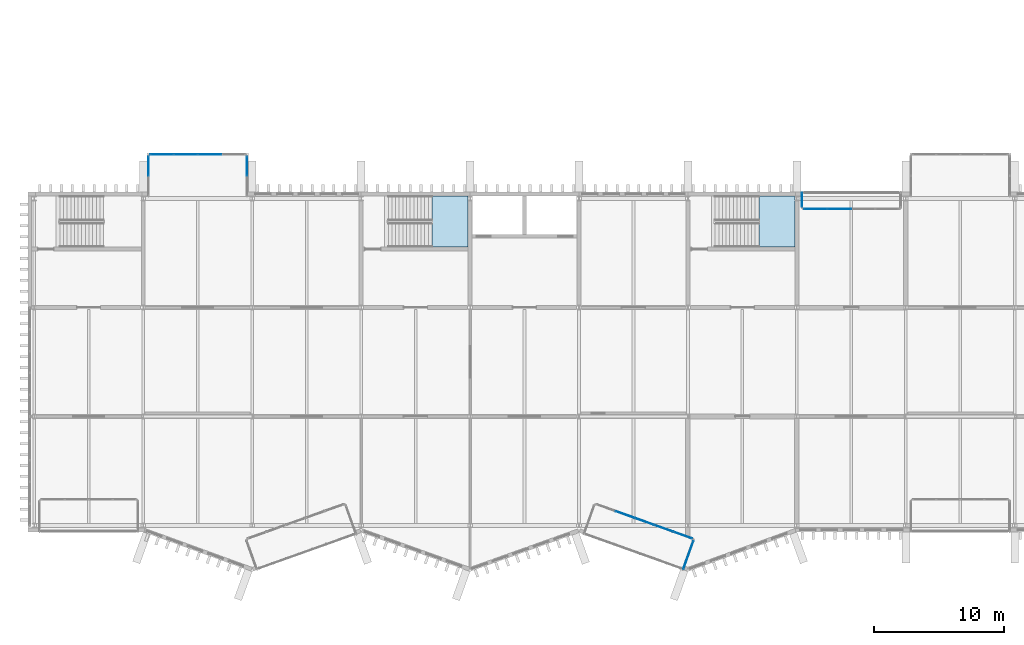
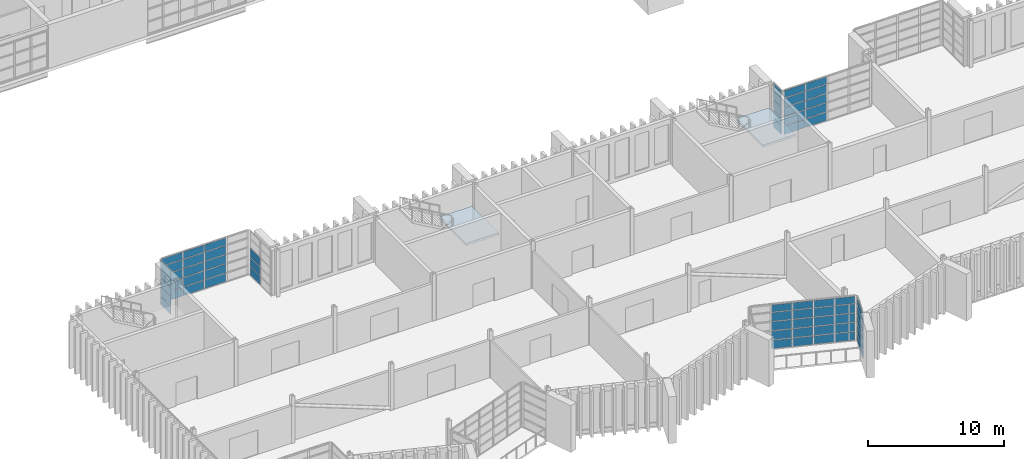
# One storey, part 46 of 100: 63 plates, 2 slabs, 9 elements without a shape of their own.
"""IFC4 building model written with IfcOpenShell, lengths in metres."""

from ifc_helpers import new_model, si_unit, direction, frame, origin, origin_2d, place, context, subcontext, project, spatial, polyline, rectangle, outline, extrude, material, layer, layer_set, type_object, element, aggregate, save


model = new_model("IFC4")

# Units and contexts
model_context = context("Model", 3, precision=1e-05, world=origin(), true_north=direction((0.0, 1.0)))
body_context = subcontext(model_context, "Body", "Model", "MODEL_VIEW")
ifc_project = project(units=[si_unit("LENGTHUNIT", "METRE"), si_unit("AREAUNIT", "SQUARE_METRE"), si_unit("VOLUMEUNIT", "CUBIC_METRE"), si_unit("PLANEANGLEUNIT", "RADIAN"), si_unit("MASSUNIT", "GRAM", prefix="KILO")], contexts=[model_context])

# Site, building, storey
site_placement = place(None, origin())
site = spatial("IfcSite", under=ifc_project, at=site_placement, CompositionType="ELEMENT")
building_placement = place(site_placement, origin())
building = spatial("IfcBuilding", under=site, at=building_placement, Name="Cresset Court Congress Hotel", CompositionType="ELEMENT")
storey_placement = place(building_placement, frame((0.0, 0.0, 10.199951171875)))
storey = spatial("IfcBuildingStorey", under=building, at=storey_placement, Name="L02", CompositionType="ELEMENT", Elevation=10.199951171875)

# Curtain wall, plates
ifc_material_1 = material(Name="Aluminium frame with double glazing", Category="aluminium")
ifc_layer_1 = layer(ifc_material_1, 0.199951171875)
ifc_layer_set_1 = layer_set([ifc_layer_1], Name="Glazed box curtain wall 1680 module")
curtain_wall_type = type_object("IfcCurtainWallType", Name="Glazed box curtain wall 1680 module", PredefinedType="NOTDEFINED", material=ifc_layer_set_1)
curtain_wall_1_placement = place(storey_placement, origin())
curtain_wall_1 = element("IfcCurtainWall", 1, at=curtain_wall_1_placement, inside=storey, type_object=curtain_wall_type, Name="Glazed box S0207 front", PredefinedType="NOTDEFINED")
ifc_material_2 = material(Name="Toughened double glazing", Category="glass")
ifc_layer_2 = layer(ifc_material_2, 0.028076171875)
ifc_layer_set_2 = layer_set([ifc_layer_2], Name="Box glass panel 28")
plate_type_1 = type_object("IfcPlateType", Name="Box glass panel 28", PredefinedType="CURTAIN_PANEL", material=ifc_layer_set_2)
plate_1_placement = place(storey_placement, frame((53.94921875, 0.837158203125, 0.06005859375), z_axis=(0.0, 0.0, 1.0), x_axis=(0.941741911601, -0.336336396981, 0.0)))
plate_1 = element("IfcPlate", 2, at=plate_1_placement, type_object=plate_type_1, Name="B-X1 panel 2.1", PredefinedType="CURTAIN_PANEL", context=body_context, shape_type="SweptSolid", body=[
    extrude(rectangle(XDim=1.52392578125, YDim=0.028076171875, at=origin_2d()), origin(), (0.0, 0.0, 1.0), 0.739990234375),
])
plate_2_placement = place(storey_placement, frame((53.94921875, 0.837158203125, 0.860107421875), z_axis=(0.0, 0.0, 1.0), x_axis=(0.941741911601, -0.336336396981, 0.0)))
plate_2 = element("IfcPlate", 3, at=plate_2_placement, type_object=plate_type_1, Name="B-X1 panel 2.2", PredefinedType="CURTAIN_PANEL", context=body_context, shape_type="SweptSolid", body=[
    extrude(rectangle(XDim=1.52392578125, YDim=0.028076171875, at=origin_2d()), origin(), (0.0, 0.0, 1.0), 0.77001953125),
])
plate_3_placement = place(storey_placement, frame((53.94921875, 0.837158203125, 1.68994140625), z_axis=(0.0, 0.0, 1.0), x_axis=(0.941741911601, -0.336336396981, 0.0)))
plate_3 = element("IfcPlate", 4, at=plate_3_placement, type_object=plate_type_1, Name="B-X1 panel 2.3", PredefinedType="CURTAIN_PANEL", context=body_context, shape_type="SweptSolid", body=[
    extrude(rectangle(XDim=1.52392578125, YDim=0.028076171875, at=origin_2d()), origin(), (0.0, 0.0, 1.0), 0.77001953125),
])
plate_4_placement = place(storey_placement, frame((53.94921875, 0.837158203125, 2.52001953125), z_axis=(0.0, 0.0, 1.0), x_axis=(0.941741911601, -0.336336396981, 0.0)))
plate_4 = element("IfcPlate", 5, at=plate_4_placement, type_object=plate_type_1, Name="B-X1 panel 2.4", PredefinedType="CURTAIN_PANEL", context=body_context, shape_type="SweptSolid", body=[
    extrude(rectangle(XDim=1.52392578125, YDim=0.028076171875, at=origin_2d()), origin(), (0.0, 0.0, 1.0), 0.77001953125),
])
plate_5_placement = place(storey_placement, frame((55.44091796875, 0.304443359375, 0.06005859375), z_axis=(0.0, 0.0, 1.0), x_axis=(0.941741911601, -0.336336396981, 0.0)))
plate_5 = element("IfcPlate", 6, at=plate_5_placement, type_object=plate_type_1, Name="B-X1 panel 3.1", PredefinedType="CURTAIN_PANEL", context=body_context, shape_type="SweptSolid", body=[
    extrude(rectangle(XDim=1.52392578125, YDim=0.028076171875, at=origin_2d()), origin(), (0.0, 0.0, 1.0), 0.739990234375),
])
plate_6_placement = place(storey_placement, frame((55.44091796875, 0.304443359375, 0.860107421875), z_axis=(0.0, 0.0, 1.0), x_axis=(0.941741911601, -0.336336396981, 0.0)))
plate_6 = element("IfcPlate", 7, at=plate_6_placement, type_object=plate_type_1, Name="B-X1 panel 3.2", PredefinedType="CURTAIN_PANEL", context=body_context, shape_type="SweptSolid", body=[
    extrude(rectangle(XDim=1.52392578125, YDim=0.028076171875, at=origin_2d()), origin(), (0.0, 0.0, 1.0), 0.77001953125),
])
plate_7_placement = place(storey_placement, frame((55.44091796875, 0.304443359375, 1.68994140625), z_axis=(0.0, 0.0, 1.0), x_axis=(0.941741911601, -0.336336396981, 0.0)))
plate_7 = element("IfcPlate", 8, at=plate_7_placement, type_object=plate_type_1, Name="B-X1 panel 3.3", PredefinedType="CURTAIN_PANEL", context=body_context, shape_type="SweptSolid", body=[
    extrude(rectangle(XDim=1.52392578125, YDim=0.028076171875, at=origin_2d()), origin(), (0.0, 0.0, 1.0), 0.77001953125),
])
plate_8_placement = place(storey_placement, frame((55.44091796875, 0.304443359375, 2.52001953125), z_axis=(0.0, 0.0, 1.0), x_axis=(0.941741911601, -0.336336396981, 0.0)))
plate_8 = element("IfcPlate", 9, at=plate_8_placement, type_object=plate_type_1, Name="B-X1 panel 3.4", PredefinedType="CURTAIN_PANEL", context=body_context, shape_type="SweptSolid", body=[
    extrude(rectangle(XDim=1.52392578125, YDim=0.028076171875, at=origin_2d()), origin(), (0.0, 0.0, 1.0), 0.77001953125),
])
plate_9_placement = place(storey_placement, frame((56.932373046875, -0.228271484375, 0.06005859375), z_axis=(0.0, 0.0, 1.0), x_axis=(0.941741911601, -0.336336396981, 0.0)))
plate_9 = element("IfcPlate", 10, at=plate_9_placement, type_object=plate_type_1, Name="B-X1 panel 4.1", PredefinedType="CURTAIN_PANEL", context=body_context, shape_type="SweptSolid", body=[
    extrude(rectangle(XDim=1.52392578125, YDim=0.028076171875, at=origin_2d()), origin(), (0.0, 0.0, 1.0), 0.739990234375),
])
plate_10_placement = place(storey_placement, frame((56.932373046875, -0.228271484375, 0.860107421875), z_axis=(0.0, 0.0, 1.0), x_axis=(0.941741911601, -0.336336396981, 0.0)))
plate_10 = element("IfcPlate", 11, at=plate_10_placement, type_object=plate_type_1, Name="B-X1 panel 4.2", PredefinedType="CURTAIN_PANEL", context=body_context, shape_type="SweptSolid", body=[
    extrude(rectangle(XDim=1.52392578125, YDim=0.028076171875, at=origin_2d()), origin(), (0.0, 0.0, 1.0), 0.77001953125),
])
plate_11_placement = place(storey_placement, frame((56.932373046875, -0.228271484375, 1.68994140625), z_axis=(0.0, 0.0, 1.0), x_axis=(0.941741911601, -0.336336396981, 0.0)))
plate_11 = element("IfcPlate", 12, at=plate_11_placement, type_object=plate_type_1, Name="B-X1 panel 4.3", PredefinedType="CURTAIN_PANEL", context=body_context, shape_type="SweptSolid", body=[
    extrude(rectangle(XDim=1.52392578125, YDim=0.028076171875, at=origin_2d()), origin(), (0.0, 0.0, 1.0), 0.77001953125),
])
plate_12_placement = place(storey_placement, frame((56.932373046875, -0.228271484375, 2.52001953125), z_axis=(0.0, 0.0, 1.0), x_axis=(0.941741911601, -0.336336396981, 0.0)))
plate_12 = element("IfcPlate", 13, at=plate_12_placement, type_object=plate_type_1, Name="B-X1 panel 4.4", PredefinedType="CURTAIN_PANEL", context=body_context, shape_type="SweptSolid", body=[
    extrude(rectangle(XDim=1.52392578125, YDim=0.028076171875, at=origin_2d()), origin(), (0.0, 0.0, 1.0), 0.77001953125),
])
plate_13_placement = place(storey_placement, frame((58.409912109375, -0.756103515625, 0.06005859375), z_axis=(0.0, 0.0, 1.0), x_axis=(0.941741911601, -0.336336396981, 0.0)))
plate_13 = element("IfcPlate", 14, at=plate_13_placement, type_object=plate_type_1, Name="B-X1 panel 5.1", PredefinedType="CURTAIN_PANEL", context=body_context, shape_type="SweptSolid", body=[
    extrude(rectangle(XDim=1.493896484375, YDim=0.028076171875, at=origin_2d()), origin(), (0.0, 0.0, 1.0), 0.739990234375),
])
plate_14_placement = place(storey_placement, frame((58.409912109375, -0.756103515625, 0.860107421875), z_axis=(0.0, 0.0, 1.0), x_axis=(0.941741911601, -0.336336396981, 0.0)))
plate_14 = element("IfcPlate", 15, at=plate_14_placement, type_object=plate_type_1, Name="B-X1 panel 5.2", PredefinedType="CURTAIN_PANEL", context=body_context, shape_type="SweptSolid", body=[
    extrude(rectangle(XDim=1.493896484375, YDim=0.028076171875, at=origin_2d()), origin(), (0.0, 0.0, 1.0), 0.77001953125),
])
plate_15_placement = place(storey_placement, frame((58.409912109375, -0.756103515625, 1.68994140625), z_axis=(0.0, 0.0, 1.0), x_axis=(0.941741911601, -0.336336396981, 0.0)))
plate_15 = element("IfcPlate", 16, at=plate_15_placement, type_object=plate_type_1, Name="B-X1 panel 5.3", PredefinedType="CURTAIN_PANEL", context=body_context, shape_type="SweptSolid", body=[
    extrude(rectangle(XDim=1.493896484375, YDim=0.028076171875, at=origin_2d()), origin(), (0.0, 0.0, 1.0), 0.77001953125),
])
plate_16_placement = place(storey_placement, frame((58.409912109375, -0.756103515625, 2.52001953125), z_axis=(0.0, 0.0, 1.0), x_axis=(0.941741911601, -0.336336396981, 0.0)))
plate_16 = element("IfcPlate", 17, at=plate_16_placement, type_object=plate_type_1, Name="B-X1 panel 5.4", PredefinedType="CURTAIN_PANEL", context=body_context, shape_type="SweptSolid", body=[
    extrude(rectangle(XDim=1.493896484375, YDim=0.028076171875, at=origin_2d()), origin(), (0.0, 0.0, 1.0), 0.77001953125),
])

curtain_wall_2_placement = place(storey_placement, origin())
curtain_wall_2 = element("IfcCurtainWall", 18, at=curtain_wall_2_placement, inside=storey, type_object=curtain_wall_type, Name="Glazed box S0207 side", PredefinedType="NOTDEFINED")
plate_17_placement = place(storey_placement, frame((58.826904296875, -2.285400390625, 0.06005859375), z_axis=(0.0, 0.0, 1.0), x_axis=(0.336336397047, 0.941741911578, 0.0)))
plate_17 = element("IfcPlate", 19, at=plate_17_placement, type_object=plate_type_1, Name="B-X1 panel 1.1", PredefinedType="CURTAIN_PANEL", context=body_context, shape_type="SweptSolid", body=[
    extrude(rectangle(XDim=2.280029296875, YDim=0.028076171875, at=origin_2d()), origin(), (0.0, 0.0, 1.0), 0.739990234375),
])
plate_18_placement = place(storey_placement, frame((58.826904296875, -2.285400390625, 0.860107421875), z_axis=(0.0, 0.0, 1.0), x_axis=(0.336336397047, 0.941741911578, 0.0)))
plate_18 = element("IfcPlate", 20, at=plate_18_placement, type_object=plate_type_1, Name="B-X1 panel 1.2", PredefinedType="CURTAIN_PANEL", context=body_context, shape_type="SweptSolid", body=[
    extrude(rectangle(XDim=2.280029296875, YDim=0.028076171875, at=origin_2d()), origin(), (0.0, 0.0, 1.0), 0.77001953125),
])
plate_19_placement = place(storey_placement, frame((58.826904296875, -2.285400390625, 1.68994140625), z_axis=(0.0, 0.0, 1.0), x_axis=(0.336336397047, 0.941741911578, 0.0)))
plate_19 = element("IfcPlate", 21, at=plate_19_placement, type_object=plate_type_1, Name="B-X1 panel 1.3", PredefinedType="CURTAIN_PANEL", context=body_context, shape_type="SweptSolid", body=[
    extrude(rectangle(XDim=2.280029296875, YDim=0.028076171875, at=origin_2d()), origin(), (0.0, 0.0, 1.0), 0.77001953125),
])
plate_20_placement = place(storey_placement, frame((58.826904296875, -2.285400390625, 2.52001953125), z_axis=(0.0, 0.0, 1.0), x_axis=(0.336336397047, 0.941741911578, 0.0)))
plate_20 = element("IfcPlate", 22, at=plate_20_placement, type_object=plate_type_1, Name="B-X1 panel 1.4", PredefinedType="CURTAIN_PANEL", context=body_context, shape_type="SweptSolid", body=[
    extrude(rectangle(XDim=2.280029296875, YDim=0.028076171875, at=origin_2d()), origin(), (0.0, 0.0, 1.0), 0.77001953125),
])

curtain_wall_3_placement = place(storey_placement, origin())
curtain_wall_3 = element("IfcCurtainWall", 23, at=curtain_wall_3_placement, inside=storey, type_object=curtain_wall_type, Name="Glazed box N0224 front", PredefinedType="NOTDEFINED")
plate_21_placement = place(storey_placement, frame((18.239990234375, 28.60009765625, 0.06005859375), z_axis=(0.0, 0.0, 1.0), x_axis=(1.0, 0.0, 0.0)))
plate_21 = element("IfcPlate", 24, at=plate_21_placement, type_object=plate_type_1, Name="B-X1 panel 1.1", PredefinedType="CURTAIN_PANEL", context=body_context, shape_type="SweptSolid", body=[
    extrude(rectangle(XDim=1.760009765625, YDim=0.028076171875, at=origin_2d()), origin(), (0.0, 0.0, 1.0), 0.739990234375),
])
plate_22_placement = place(storey_placement, frame((18.239990234375, 28.60009765625, 0.860107421875), z_axis=(0.0, 0.0, 1.0), x_axis=(1.0, 0.0, 0.0)))
plate_22 = element("IfcPlate", 25, at=plate_22_placement, type_object=plate_type_1, Name="B-X1 panel 1.2", PredefinedType="CURTAIN_PANEL", context=body_context, shape_type="SweptSolid", body=[
    extrude(rectangle(XDim=1.760009765625, YDim=0.028076171875, at=origin_2d()), origin(), (0.0, 0.0, 1.0), 0.77001953125),
])
plate_23_placement = place(storey_placement, frame((18.239990234375, 28.60009765625, 1.68994140625), z_axis=(0.0, 0.0, 1.0), x_axis=(1.0, 0.0, 0.0)))
plate_23 = element("IfcPlate", 26, at=plate_23_placement, type_object=plate_type_1, Name="B-X1 panel 1.3", PredefinedType="CURTAIN_PANEL", context=body_context, shape_type="SweptSolid", body=[
    extrude(rectangle(XDim=1.760009765625, YDim=0.028076171875, at=origin_2d()), origin(), (0.0, 0.0, 1.0), 0.77001953125),
])
plate_24_placement = place(storey_placement, frame((18.239990234375, 28.60009765625, 2.52001953125), z_axis=(0.0, 0.0, 1.0), x_axis=(1.0, 0.0, 0.0)))
plate_24 = element("IfcPlate", 27, at=plate_24_placement, type_object=plate_type_1, Name="B-X1 panel 1.4", PredefinedType="CURTAIN_PANEL", context=body_context, shape_type="SweptSolid", body=[
    extrude(rectangle(XDim=1.760009765625, YDim=0.028076171875, at=origin_2d()), origin(), (0.0, 0.0, 1.0), 0.77001953125),
])
plate_25_placement = place(storey_placement, frame((20.074951171875, 28.60009765625, 0.06005859375), z_axis=(0.0, 0.0, 1.0), x_axis=(1.0, 0.0, 0.0)))
plate_25 = element("IfcPlate", 28, at=plate_25_placement, type_object=plate_type_1, Name="B-X1 panel 2.1", PredefinedType="CURTAIN_PANEL", context=body_context, shape_type="SweptSolid", body=[
    extrude(rectangle(XDim=1.7900390625, YDim=0.028076171875, at=origin_2d()), origin(), (0.0, 0.0, 1.0), 0.739990234375),
])
plate_26_placement = place(storey_placement, frame((20.074951171875, 28.60009765625, 0.860107421875), z_axis=(0.0, 0.0, 1.0), x_axis=(1.0, 0.0, 0.0)))
plate_26 = element("IfcPlate", 29, at=plate_26_placement, type_object=plate_type_1, Name="B-X1 panel 2.2", PredefinedType="CURTAIN_PANEL", context=body_context, shape_type="SweptSolid", body=[
    extrude(rectangle(XDim=1.7900390625, YDim=0.028076171875, at=origin_2d()), origin(), (0.0, 0.0, 1.0), 0.77001953125),
])
plate_27_placement = place(storey_placement, frame((20.074951171875, 28.60009765625, 1.68994140625), z_axis=(0.0, 0.0, 1.0), x_axis=(1.0, 0.0, 0.0)))
plate_27 = element("IfcPlate", 30, at=plate_27_placement, type_object=plate_type_1, Name="B-X1 panel 2.3", PredefinedType="CURTAIN_PANEL", context=body_context, shape_type="SweptSolid", body=[
    extrude(rectangle(XDim=1.7900390625, YDim=0.028076171875, at=origin_2d()), origin(), (0.0, 0.0, 1.0), 0.77001953125),
])
plate_28_placement = place(storey_placement, frame((20.074951171875, 28.60009765625, 2.52001953125), z_axis=(0.0, 0.0, 1.0), x_axis=(1.0, 0.0, 0.0)))
plate_28 = element("IfcPlate", 31, at=plate_28_placement, type_object=plate_type_1, Name="B-X1 panel 2.4", PredefinedType="CURTAIN_PANEL", context=body_context, shape_type="SweptSolid", body=[
    extrude(rectangle(XDim=1.7900390625, YDim=0.028076171875, at=origin_2d()), origin(), (0.0, 0.0, 1.0), 0.77001953125),
])
plate_29_placement = place(storey_placement, frame((21.925048828125, 28.60009765625, 0.06005859375), z_axis=(0.0, 0.0, 1.0), x_axis=(1.0, 0.0, 0.0)))
plate_29 = element("IfcPlate", 32, at=plate_29_placement, type_object=plate_type_1, Name="B-X1 panel 3.1", PredefinedType="CURTAIN_PANEL", context=body_context, shape_type="SweptSolid", body=[
    extrude(rectangle(XDim=1.7900390625, YDim=0.028076171875, at=origin_2d()), origin(), (0.0, 0.0, 1.0), 0.739990234375),
])
plate_30_placement = place(storey_placement, frame((21.925048828125, 28.60009765625, 0.860107421875), z_axis=(0.0, 0.0, 1.0), x_axis=(1.0, 0.0, 0.0)))
plate_30 = element("IfcPlate", 33, at=plate_30_placement, type_object=plate_type_1, Name="B-X1 panel 3.2", PredefinedType="CURTAIN_PANEL", context=body_context, shape_type="SweptSolid", body=[
    extrude(rectangle(XDim=1.7900390625, YDim=0.028076171875, at=origin_2d()), origin(), (0.0, 0.0, 1.0), 0.77001953125),
])
plate_31_placement = place(storey_placement, frame((21.925048828125, 28.60009765625, 1.68994140625), z_axis=(0.0, 0.0, 1.0), x_axis=(1.0, 0.0, 0.0)))
plate_31 = element("IfcPlate", 34, at=plate_31_placement, type_object=plate_type_1, Name="B-X1 panel 3.3", PredefinedType="CURTAIN_PANEL", context=body_context, shape_type="SweptSolid", body=[
    extrude(rectangle(XDim=1.7900390625, YDim=0.028076171875, at=origin_2d()), origin(), (0.0, 0.0, 1.0), 0.77001953125),
])
plate_32_placement = place(storey_placement, frame((21.925048828125, 28.60009765625, 2.52001953125), z_axis=(0.0, 0.0, 1.0), x_axis=(1.0, 0.0, 0.0)))
plate_32 = element("IfcPlate", 35, at=plate_32_placement, type_object=plate_type_1, Name="B-X1 panel 3.4", PredefinedType="CURTAIN_PANEL", context=body_context, shape_type="SweptSolid", body=[
    extrude(rectangle(XDim=1.7900390625, YDim=0.028076171875, at=origin_2d()), origin(), (0.0, 0.0, 1.0), 0.77001953125),
])

curtain_wall_4_placement = place(storey_placement, origin())
curtain_wall_4 = element("IfcCurtainWall", 36, at=curtain_wall_4_placement, inside=storey, type_object=curtain_wall_type, Name="Glazed box N0224 side", PredefinedType="NOTDEFINED")
plate_33_placement = place(storey_placement, frame((17.199951171875, 27.7099609375, 0.06005859375), z_axis=(0.0, 0.0, 1.0), x_axis=(0.0, 1.0, 0.0)))
plate_33 = element("IfcPlate", 37, at=plate_33_placement, type_object=plate_type_1, Name="B-X1 panel 2.1", PredefinedType="CURTAIN_PANEL", context=body_context, shape_type="SweptSolid", body=[
    extrude(rectangle(XDim=1.4599609375, YDim=0.028076171875, at=origin_2d()), origin(), (0.0, 0.0, 1.0), 0.739990234375),
])
plate_34_placement = place(storey_placement, frame((17.199951171875, 27.7099609375, 0.860107421875), z_axis=(0.0, 0.0, 1.0), x_axis=(0.0, 1.0, 0.0)))
plate_34 = element("IfcPlate", 38, at=plate_34_placement, type_object=plate_type_1, Name="B-X1 panel 2.2", PredefinedType="CURTAIN_PANEL", context=body_context, shape_type="SweptSolid", body=[
    extrude(rectangle(XDim=1.4599609375, YDim=0.028076171875, at=origin_2d()), origin(), (0.0, 0.0, 1.0), 0.77001953125),
])
plate_35_placement = place(storey_placement, frame((17.199951171875, 27.7099609375, 1.68994140625), z_axis=(0.0, 0.0, 1.0), x_axis=(0.0, 1.0, 0.0)))
plate_35 = element("IfcPlate", 39, at=plate_35_placement, type_object=plate_type_1, Name="B-X1 panel 2.3", PredefinedType="CURTAIN_PANEL", context=body_context, shape_type="SweptSolid", body=[
    extrude(rectangle(XDim=1.4599609375, YDim=0.028076171875, at=origin_2d()), origin(), (0.0, 0.0, 1.0), 0.77001953125),
])
plate_36_placement = place(storey_placement, frame((17.199951171875, 27.7099609375, 2.52001953125), z_axis=(0.0, 0.0, 1.0), x_axis=(0.0, 1.0, 0.0)))
plate_36 = element("IfcPlate", 40, at=plate_36_placement, type_object=plate_type_1, Name="B-X1 panel 2.4", PredefinedType="CURTAIN_PANEL", context=body_context, shape_type="SweptSolid", body=[
    extrude(rectangle(XDim=1.4599609375, YDim=0.028076171875, at=origin_2d()), origin(), (0.0, 0.0, 1.0), 0.77001953125),
])

curtain_wall_5_placement = place(storey_placement, origin())
curtain_wall_5 = element("IfcCurtainWall", 41, at=curtain_wall_5_placement, inside=storey, type_object=curtain_wall_type, Name="Glazed box N0224 side", PredefinedType="NOTDEFINED")
plate_37_placement = place(storey_placement, frame((24.800048828125, 27.7099609375, 0.06005859375), z_axis=(0.0, 0.0, 1.0), x_axis=(0.0, 1.0, 0.0)))
plate_37 = element("IfcPlate", 42, at=plate_37_placement, type_object=plate_type_1, Name="B-X1 panel 2.1", PredefinedType="CURTAIN_PANEL", context=body_context, shape_type="SweptSolid", body=[
    extrude(rectangle(XDim=1.4599609375, YDim=0.028076171875, at=origin_2d()), origin(), (0.0, 0.0, 1.0), 0.739990234375),
])
plate_38_placement = place(storey_placement, frame((24.800048828125, 27.7099609375, 0.860107421875), z_axis=(0.0, 0.0, 1.0), x_axis=(0.0, 1.0, 0.0)))
plate_38 = element("IfcPlate", 43, at=plate_38_placement, type_object=plate_type_1, Name="B-X1 panel 2.2", PredefinedType="CURTAIN_PANEL", context=body_context, shape_type="SweptSolid", body=[
    extrude(rectangle(XDim=1.4599609375, YDim=0.028076171875, at=origin_2d()), origin(), (0.0, 0.0, 1.0), 0.77001953125),
])
plate_39_placement = place(storey_placement, frame((24.800048828125, 27.7099609375, 1.68994140625), z_axis=(0.0, 0.0, 1.0), x_axis=(0.0, 1.0, 0.0)))
plate_39 = element("IfcPlate", 44, at=plate_39_placement, type_object=plate_type_1, Name="B-X1 panel 2.3", PredefinedType="CURTAIN_PANEL", context=body_context, shape_type="SweptSolid", body=[
    extrude(rectangle(XDim=1.4599609375, YDim=0.028076171875, at=origin_2d()), origin(), (0.0, 0.0, 1.0), 0.77001953125),
])
aggregate(curtain_wall_5, [plate_37, plate_38, plate_39])

curtain_wall_6_placement = place(storey_placement, origin())
curtain_wall_6 = element("IfcCurtainWall", 45, at=curtain_wall_6_placement, inside=storey, type_object=curtain_wall_type, Name="Glazed box N0226 front", PredefinedType="NOTDEFINED")
plate_40_placement = place(storey_placement, frame((68.639892578125, 24.39990234375, 0.06005859375), z_axis=(0.0, 0.0, 1.0), x_axis=(1.0, 0.0, 0.0)))
plate_40 = element("IfcPlate", 46, at=plate_40_placement, type_object=plate_type_1, Name="B-X1 panel 1.1", PredefinedType="CURTAIN_PANEL", context=body_context, shape_type="SweptSolid", body=[
    extrude(rectangle(XDim=1.760009765625, YDim=0.028076171875, at=origin_2d()), origin(), (0.0, 0.0, 1.0), 0.739990234375),
])
plate_41_placement = place(storey_placement, frame((68.639892578125, 24.39990234375, 0.860107421875), z_axis=(0.0, 0.0, 1.0), x_axis=(1.0, 0.0, 0.0)))
plate_41 = element("IfcPlate", 47, at=plate_41_placement, type_object=plate_type_1, Name="B-X1 panel 1.2", PredefinedType="CURTAIN_PANEL", context=body_context, shape_type="SweptSolid", body=[
    extrude(rectangle(XDim=1.760009765625, YDim=0.028076171875, at=origin_2d()), origin(), (0.0, 0.0, 1.0), 0.77001953125),
])
plate_42_placement = place(storey_placement, frame((68.639892578125, 24.39990234375, 1.68994140625), z_axis=(0.0, 0.0, 1.0), x_axis=(1.0, 0.0, 0.0)))
plate_42 = element("IfcPlate", 48, at=plate_42_placement, type_object=plate_type_1, Name="B-X1 panel 1.3", PredefinedType="CURTAIN_PANEL", context=body_context, shape_type="SweptSolid", body=[
    extrude(rectangle(XDim=1.760009765625, YDim=0.028076171875, at=origin_2d()), origin(), (0.0, 0.0, 1.0), 0.77001953125),
])
plate_43_placement = place(storey_placement, frame((68.639892578125, 24.39990234375, 2.52001953125), z_axis=(0.0, 0.0, 1.0), x_axis=(1.0, 0.0, 0.0)))
plate_43 = element("IfcPlate", 49, at=plate_43_placement, type_object=plate_type_1, Name="B-X1 panel 1.4", PredefinedType="CURTAIN_PANEL", context=body_context, shape_type="SweptSolid", body=[
    extrude(rectangle(XDim=1.760009765625, YDim=0.028076171875, at=origin_2d()), origin(), (0.0, 0.0, 1.0), 0.77001953125),
])
plate_44_placement = place(storey_placement, frame((70.47509765625, 24.39990234375, 0.06005859375), z_axis=(0.0, 0.0, 1.0), x_axis=(1.0, 0.0, 0.0)))
plate_44 = element("IfcPlate", 50, at=plate_44_placement, type_object=plate_type_1, Name="B-X1 panel 2.1", PredefinedType="CURTAIN_PANEL", context=body_context, shape_type="SweptSolid", body=[
    extrude(rectangle(XDim=1.7900390625, YDim=0.028076171875, at=origin_2d()), origin(), (0.0, 0.0, 1.0), 0.739990234375),
])
plate_45_placement = place(storey_placement, frame((70.47509765625, 24.39990234375, 0.860107421875), z_axis=(0.0, 0.0, 1.0), x_axis=(1.0, 0.0, 0.0)))
plate_45 = element("IfcPlate", 51, at=plate_45_placement, type_object=plate_type_1, Name="B-X1 panel 2.2", PredefinedType="CURTAIN_PANEL", context=body_context, shape_type="SweptSolid", body=[
    extrude(rectangle(XDim=1.7900390625, YDim=0.028076171875, at=origin_2d()), origin(), (0.0, 0.0, 1.0), 0.77001953125),
])
plate_46_placement = place(storey_placement, frame((70.47509765625, 24.39990234375, 1.68994140625), z_axis=(0.0, 0.0, 1.0), x_axis=(1.0, 0.0, 0.0)))
plate_46 = element("IfcPlate", 52, at=plate_46_placement, type_object=plate_type_1, Name="B-X1 panel 2.3", PredefinedType="CURTAIN_PANEL", context=body_context, shape_type="SweptSolid", body=[
    extrude(rectangle(XDim=1.7900390625, YDim=0.028076171875, at=origin_2d()), origin(), (0.0, 0.0, 1.0), 0.77001953125),
])
plate_47_placement = place(storey_placement, frame((70.47509765625, 24.39990234375, 2.52001953125), z_axis=(0.0, 0.0, 1.0), x_axis=(1.0, 0.0, 0.0)))
plate_47 = element("IfcPlate", 53, at=plate_47_placement, type_object=plate_type_1, Name="B-X1 panel 2.4", PredefinedType="CURTAIN_PANEL", context=body_context, shape_type="SweptSolid", body=[
    extrude(rectangle(XDim=1.7900390625, YDim=0.028076171875, at=origin_2d()), origin(), (0.0, 0.0, 1.0), 0.77001953125),
])

curtain_wall_7_placement = place(storey_placement, origin())
curtain_wall_7 = element("IfcCurtainWall", 54, at=curtain_wall_7_placement, inside=storey, type_object=curtain_wall_type, Name="Glazed box N0226 side", PredefinedType="NOTDEFINED")
plate_48_placement = place(storey_placement, frame((67.60009765625, 25.10009765625, 0.06005859375), z_axis=(0.0, 0.0, 1.0), x_axis=(0.0, -1.0, 0.0)))
plate_48 = element("IfcPlate", 55, at=plate_48_placement, type_object=plate_type_1, Name="B-X1 panel 1.1", PredefinedType="CURTAIN_PANEL", context=body_context, shape_type="SweptSolid", body=[
    extrude(rectangle(XDim=1.080078125, YDim=0.028076171875, at=origin_2d()), origin(), (0.0, 0.0, 1.0), 0.739990234375),
])
plate_49_placement = place(storey_placement, frame((67.60009765625, 25.10009765625, 0.860107421875), z_axis=(0.0, 0.0, 1.0), x_axis=(0.0, -1.0, 0.0)))
plate_49 = element("IfcPlate", 56, at=plate_49_placement, type_object=plate_type_1, Name="B-X1 panel 1.2", PredefinedType="CURTAIN_PANEL", context=body_context, shape_type="SweptSolid", body=[
    extrude(rectangle(XDim=1.080078125, YDim=0.028076171875, at=origin_2d()), origin(), (0.0, 0.0, 1.0), 0.77001953125),
])
plate_50_placement = place(storey_placement, frame((67.60009765625, 25.10009765625, 1.68994140625), z_axis=(0.0, 0.0, 1.0), x_axis=(0.0, -1.0, 0.0)))
plate_50 = element("IfcPlate", 57, at=plate_50_placement, type_object=plate_type_1, Name="B-X1 panel 1.3", PredefinedType="CURTAIN_PANEL", context=body_context, shape_type="SweptSolid", body=[
    extrude(rectangle(XDim=1.080078125, YDim=0.028076171875, at=origin_2d()), origin(), (0.0, 0.0, 1.0), 0.77001953125),
])
plate_51_placement = place(storey_placement, frame((67.60009765625, 25.10009765625, 2.52001953125), z_axis=(0.0, 0.0, 1.0), x_axis=(0.0, -1.0, 0.0)))
plate_51 = element("IfcPlate", 58, at=plate_51_placement, type_object=plate_type_1, Name="B-X1 panel 1.4", PredefinedType="CURTAIN_PANEL", context=body_context, shape_type="SweptSolid", body=[
    extrude(rectangle(XDim=1.080078125, YDim=0.028076171875, at=origin_2d()), origin(), (0.0, 0.0, 1.0), 0.77001953125),
])

# Plate
ifc_material_3 = material(Name="Insulated aluminium spandrel panel", Category="aluminium")
ifc_layer_3 = layer(ifc_material_3, 0.0400390625)
ifc_layer_set_3 = layer_set([ifc_layer_3], Name="Box spandrel panel 40")
plate_type_2 = type_object("IfcPlateType", Name="Box spandrel panel 40", PredefinedType="CURTAIN_PANEL", material=ifc_layer_set_3)
plate_52_placement = place(storey_placement, frame((53.94921875, 0.837158203125, 3.35009765625), z_axis=(0.0, 0.0, 1.0), x_axis=(0.941741911601, -0.336336396981, 0.0)))
plate_52 = element("IfcPlate", 59, at=plate_52_placement, type_object=plate_type_2, Name="B-X1 spandrel panel 2.5", PredefinedType="CURTAIN_PANEL", context=body_context, shape_type="SweptSolid", body=[
    extrude(rectangle(XDim=1.52392578125, YDim=0.0400390625, at=origin_2d()), origin(), (0.0, 0.0, 1.0), 0.639892578125),
])

plate_53_placement = place(storey_placement, frame((55.44091796875, 0.304443359375, 3.35009765625), z_axis=(0.0, 0.0, 1.0), x_axis=(0.941741911601, -0.336336396981, 0.0)))
plate_53 = element("IfcPlate", 60, at=plate_53_placement, type_object=plate_type_2, Name="B-X1 spandrel panel 3.5", PredefinedType="CURTAIN_PANEL", context=body_context, shape_type="SweptSolid", body=[
    extrude(rectangle(XDim=1.52392578125, YDim=0.0400390625, at=origin_2d()), origin(), (0.0, 0.0, 1.0), 0.639892578125),
])

plate_54_placement = place(storey_placement, frame((56.932373046875, -0.228271484375, 3.35009765625), z_axis=(0.0, 0.0, 1.0), x_axis=(0.941741911601, -0.336336396981, 0.0)))
plate_54 = element("IfcPlate", 61, at=plate_54_placement, type_object=plate_type_2, Name="B-X1 spandrel panel 4.5", PredefinedType="CURTAIN_PANEL", context=body_context, shape_type="SweptSolid", body=[
    extrude(rectangle(XDim=1.52392578125, YDim=0.0400390625, at=origin_2d()), origin(), (0.0, 0.0, 1.0), 0.639892578125),
])

plate_55_placement = place(storey_placement, frame((58.409912109375, -0.756103515625, 3.35009765625), z_axis=(0.0, 0.0, 1.0), x_axis=(0.941741911601, -0.336336396981, 0.0)))
plate_55 = element("IfcPlate", 62, at=plate_55_placement, type_object=plate_type_2, Name="B-X1 spandrel panel 5.5", PredefinedType="CURTAIN_PANEL", context=body_context, shape_type="SweptSolid", body=[
    extrude(rectangle(XDim=1.493896484375, YDim=0.0400390625, at=origin_2d()), origin(), (0.0, 0.0, 1.0), 0.639892578125),
])

aggregate(curtain_wall_1, [plate_1, plate_2, plate_3, plate_4, plate_52, plate_5, plate_6, plate_7, plate_8, plate_53, plate_9, plate_10, plate_11, plate_12, plate_54, plate_13, plate_14, plate_15, plate_16, plate_55])

plate_56_placement = place(storey_placement, frame((58.826904296875, -2.285400390625, 3.35009765625), z_axis=(0.0, 0.0, 1.0), x_axis=(0.336336397047, 0.941741911578, 0.0)))
plate_56 = element("IfcPlate", 63, at=plate_56_placement, type_object=plate_type_2, Name="B-X1 spandrel panel 1.5", PredefinedType="CURTAIN_PANEL", context=body_context, shape_type="SweptSolid", body=[
    extrude(rectangle(XDim=2.280029296875, YDim=0.0400390625, at=origin_2d()), origin(), (0.0, 0.0, 1.0), 0.639892578125),
])

aggregate(curtain_wall_2, [plate_17, plate_18, plate_19, plate_20, plate_56])

plate_57_placement = place(storey_placement, frame((18.239990234375, 28.60009765625, 3.35009765625), z_axis=(0.0, 0.0, 1.0), x_axis=(1.0, 0.0, 0.0)))
plate_57 = element("IfcPlate", 64, at=plate_57_placement, type_object=plate_type_2, Name="B-X1 spandrel panel 1.5", PredefinedType="CURTAIN_PANEL", context=body_context, shape_type="SweptSolid", body=[
    extrude(rectangle(XDim=1.760009765625, YDim=0.0400390625, at=origin_2d()), origin(), (0.0, 0.0, 1.0), 0.639892578125),
])

plate_58_placement = place(storey_placement, frame((20.074951171875, 28.60009765625, 3.35009765625), z_axis=(0.0, 0.0, 1.0), x_axis=(1.0, 0.0, 0.0)))
plate_58 = element("IfcPlate", 65, at=plate_58_placement, type_object=plate_type_2, Name="B-X1 spandrel panel 2.5", PredefinedType="CURTAIN_PANEL", context=body_context, shape_type="SweptSolid", body=[
    extrude(rectangle(XDim=1.7900390625, YDim=0.0400390625, at=origin_2d()), origin(), (0.0, 0.0, 1.0), 0.639892578125),
])

plate_59_placement = place(storey_placement, frame((21.925048828125, 28.60009765625, 3.35009765625), z_axis=(0.0, 0.0, 1.0), x_axis=(1.0, 0.0, 0.0)))
plate_59 = element("IfcPlate", 66, at=plate_59_placement, type_object=plate_type_2, Name="B-X1 spandrel panel 3.5", PredefinedType="CURTAIN_PANEL", context=body_context, shape_type="SweptSolid", body=[
    extrude(rectangle(XDim=1.7900390625, YDim=0.0400390625, at=origin_2d()), origin(), (0.0, 0.0, 1.0), 0.639892578125),
])

aggregate(curtain_wall_3, [plate_21, plate_22, plate_23, plate_24, plate_57, plate_25, plate_26, plate_27, plate_28, plate_58, plate_29, plate_30, plate_31, plate_32, plate_59])

plate_60_placement = place(storey_placement, frame((17.199951171875, 27.7099609375, 3.35009765625), z_axis=(0.0, 0.0, 1.0), x_axis=(0.0, 1.0, 0.0)))
plate_60 = element("IfcPlate", 67, at=plate_60_placement, type_object=plate_type_2, Name="B-X1 spandrel panel 2.5", PredefinedType="CURTAIN_PANEL", context=body_context, shape_type="SweptSolid", body=[
    extrude(rectangle(XDim=1.4599609375, YDim=0.0400390625, at=origin_2d()), origin(), (0.0, 0.0, 1.0), 0.639892578125),
])

aggregate(curtain_wall_4, [plate_33, plate_34, plate_35, plate_36, plate_60])

plate_61_placement = place(storey_placement, frame((68.639892578125, 24.39990234375, 3.35009765625), z_axis=(0.0, 0.0, 1.0), x_axis=(1.0, 0.0, 0.0)))
plate_61 = element("IfcPlate", 68, at=plate_61_placement, type_object=plate_type_2, Name="B-X1 spandrel panel 1.5", PredefinedType="CURTAIN_PANEL", context=body_context, shape_type="SweptSolid", body=[
    extrude(rectangle(XDim=1.760009765625, YDim=0.0400390625, at=origin_2d()), origin(), (0.0, 0.0, 1.0), 0.639892578125),
])

plate_62_placement = place(storey_placement, frame((70.47509765625, 24.39990234375, 3.35009765625), z_axis=(0.0, 0.0, 1.0), x_axis=(1.0, 0.0, 0.0)))
plate_62 = element("IfcPlate", 69, at=plate_62_placement, type_object=plate_type_2, Name="B-X1 spandrel panel 2.5", PredefinedType="CURTAIN_PANEL", context=body_context, shape_type="SweptSolid", body=[
    extrude(rectangle(XDim=1.7900390625, YDim=0.0400390625, at=origin_2d()), origin(), (0.0, 0.0, 1.0), 0.639892578125),
])

aggregate(curtain_wall_6, [plate_40, plate_41, plate_42, plate_43, plate_61, plate_44, plate_45, plate_46, plate_47, plate_62])

plate_63_placement = place(storey_placement, frame((67.60009765625, 25.10009765625, 3.35009765625), z_axis=(0.0, 0.0, 1.0), x_axis=(0.0, -1.0, 0.0)))
plate_63 = element("IfcPlate", 70, at=plate_63_placement, type_object=plate_type_2, Name="B-X1 spandrel panel 1.5", PredefinedType="CURTAIN_PANEL", context=body_context, shape_type="SweptSolid", body=[
    extrude(rectangle(XDim=1.080078125, YDim=0.0400390625, at=origin_2d()), origin(), (0.0, 0.0, 1.0), 0.639892578125),
])

aggregate(curtain_wall_7, [plate_48, plate_49, plate_50, plate_51, plate_63])

# Stair, slab
ifc_material_4 = material(Name="Concrete C40", Category="concrete")
stair_type = type_object("IfcStairType", Name="Dog-leg stair 1400 flights", PredefinedType="HALF_TURN_STAIR", material=ifc_material_4)
stair_1_placement = place(storey_placement, origin())
stair_1 = element("IfcStair", 71, at=stair_1_placement, inside=storey, type_object=stair_type, Name="L02 Stair ST-B2", PredefinedType="HALF_TURN_STAIR")
ifc_material_5 = material(Name="Concrete C40", Category="concrete")
ifc_layer_4 = layer(ifc_material_5, 0.199951171875)
ifc_layer_set_4 = layer_set([ifc_layer_4], Name="Stair landing 200")
slab_type = type_object("IfcSlabType", Name="Stair landing 200", PredefinedType="LANDING", material=ifc_layer_set_4)
slab_1_placement = place(storey_placement, frame((0.0, 0.0, 1.900146484375)))
slab_1 = element("IfcSlab", 72, at=slab_1_placement, type_object=slab_type, Name="ST-B2 landing 1", PredefinedType="LANDING", context=body_context, shape_type="SweptSolid", body=[
    extrude(outline(polyline([(39.06005859375, 21.449951171875), (41.85009765625, 21.449951171875), (41.85009765625, 25.39990234375), (39.06005859375, 25.39990234375), (39.06005859375, 21.449951171875)])), origin(), (0.0, 0.0, 1.0), 0.199951171875),
])
aggregate(stair_1, [slab_1])

stair_2_placement = place(storey_placement, origin())
stair_2 = element("IfcStair", 73, at=stair_2_placement, inside=storey, type_object=stair_type, Name="L02 Stair ST-B3", PredefinedType="HALF_TURN_STAIR")
slab_2_placement = place(storey_placement, frame((0.0, 0.0, 1.900146484375)))
slab_2 = element("IfcSlab", 74, at=slab_2_placement, type_object=slab_type, Name="ST-B3 landing 1", PredefinedType="LANDING", context=body_context, shape_type="SweptSolid", body=[
    extrude(outline(polyline([(64.260009765625, 21.449951171875), (67.050048828125, 21.449951171875), (67.050048828125, 25.39990234375), (64.260009765625, 25.39990234375), (64.260009765625, 21.449951171875)])), origin(), (0.0, 0.0, 1.0), 0.199951171875),
])
aggregate(stair_2, [slab_2])

save(model, "model.ifc")
